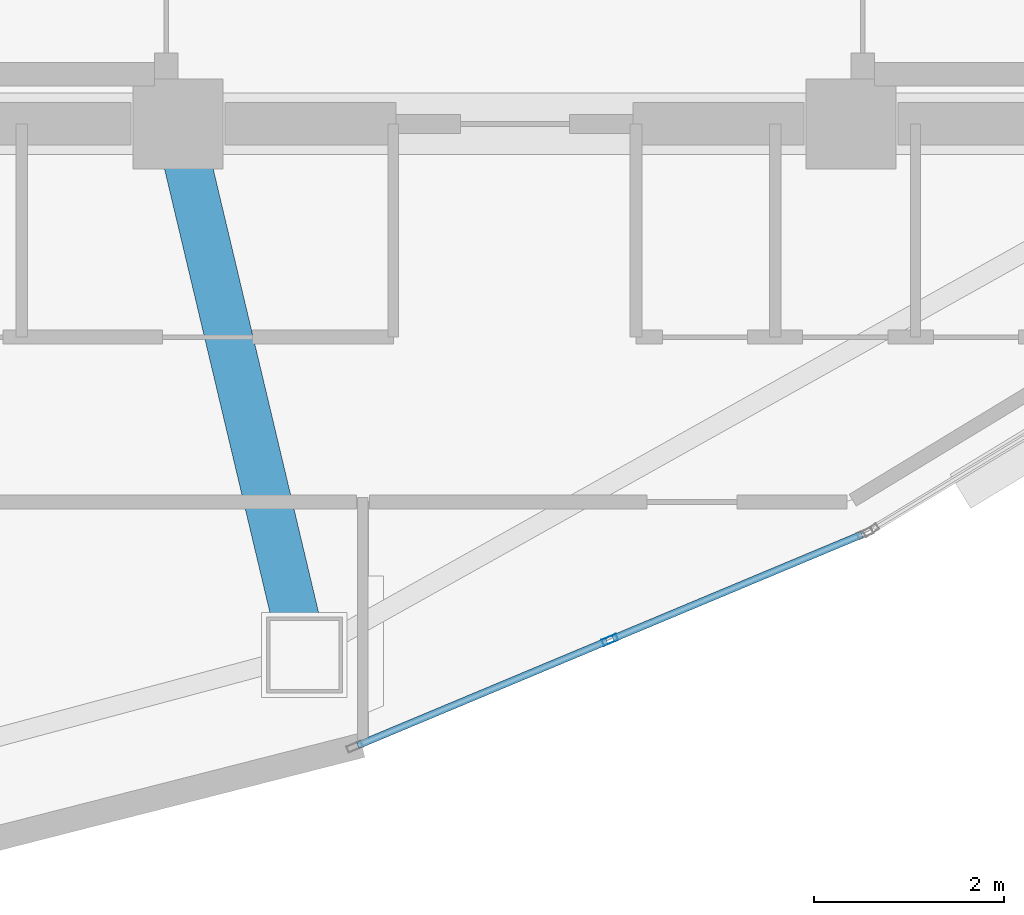
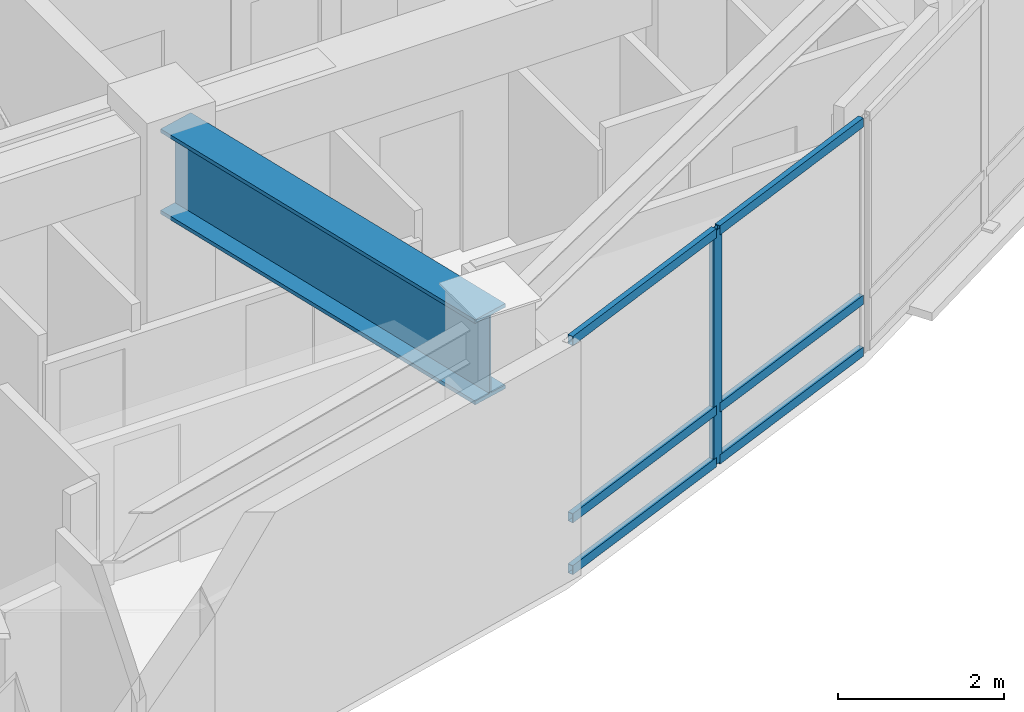
# One storey, part 3 of 15: 7 members, 1 beam, 1 element without a shape of its own.
"""IFC4 building model written with IfcOpenShell, lengths in metres."""

from ifc_helpers import new_model, si_unit, direction, frame, origin, origin_2d, place, context, subcontext, project, spatial, hollow_rectangle, i_section, extrude, material, layer, layer_set, material_profile, profile_set, type_object, element, aggregate, save


model = new_model("IFC4")

# Units and contexts
model_context = context("Model", 3, precision=1e-05, world=origin(), true_north=direction((0.0, 1.0)))
body_context = subcontext(model_context, "Body", "Model", "MODEL_VIEW")
ifc_project = project(units=[si_unit("LENGTHUNIT", "METRE"), si_unit("AREAUNIT", "SQUARE_METRE"), si_unit("VOLUMEUNIT", "CUBIC_METRE"), si_unit("PLANEANGLEUNIT", "RADIAN"), si_unit("MASSUNIT", "GRAM", prefix="KILO")], contexts=[model_context])

# Site, building, storey
site_placement = place(None, origin())
site = spatial("IfcSite", under=ifc_project, at=site_placement, CompositionType="ELEMENT")
building_placement = place(site_placement, origin())
building = spatial("IfcBuilding", under=site, at=building_placement, Name="Menara Vayukalpa", CompositionType="ELEMENT")
storey_placement = place(building_placement, frame((0.0, 0.0, 295.5)))
storey = spatial("IfcBuildingStorey", under=building, at=storey_placement, Name="L75", CompositionType="ELEMENT", Elevation=295.5)

# Beam
ifc_material_1 = material(Name="Steel S460", Category="steel")
ifc_material_profile_1 = material_profile(ifc_material_1, i_section(OverallWidth=0.5, OverallDepth=1.25, WebThickness=0.028076171875, FlangeThickness=0.054931640625, at=origin_2d()), Name="WG 1250x500x28x55")
ifc_profile_set_1 = profile_set([ifc_material_profile_1], Name="Steel S460")
beam_type = type_object("IfcBeamType", Name="BM-TG2", PredefinedType="BEAM", material=ifc_profile_set_1)
beam_placement = place(storey_placement, frame((22.10791015625, 16.956787109375, 2.81494140625), z_axis=(0.231167310854, -0.972914011818, 0.0), x_axis=(0.972914011818, 0.231167310854, 0.0)))
element("IfcBeam", 1, at=beam_placement, inside=storey, type_object=beam_type, Name="L75 Primary Radial Girder RG08", PredefinedType="BEAM", context=body_context, shape_type="SweptSolid", body=[
    extrude(i_section(OverallWidth=0.5, OverallDepth=1.25, WebThickness=0.028076171875, FlangeThickness=0.054931640625, at=origin_2d()), origin(), (0.0, 0.0, 1.0), 5.5107421875),
])

# Curtain wall, members
ifc_material_2 = material(Name="Anodised Terracotta Aluminium Alloy 6063-T6", Category="masonry")
ifc_layer = layer(ifc_material_2, 0.1650390625)
ifc_layer_set = layer_set([ifc_layer], Name="Anodised Terracotta Aluminium Alloy 6063-T6")
curtain_wall_type = type_object("IfcCurtainWallType", Name="CW-CW6", PredefinedType="USERDEFINED", material=ifc_layer_set)
curtain_wall_placement = place(storey_placement, origin())
curtain_wall = element("IfcCurtainWall", 2, at=curtain_wall_placement, inside=storey, type_object=curtain_wall_type, Name="L75 Observation and Executive Curtain Wall CW6 16", ObjectType="UNITISED", PredefinedType="USERDEFINED")
ifc_material_3 = material(Name="Anodised Terracotta Aluminium Alloy 6063-T6", Category="masonry")
ifc_material_profile_2 = material_profile(ifc_material_3, hollow_rectangle(XDim=0.070068359375, YDim=0.1650390625, WallThickness=0.00390625, at=origin_2d()), Name="ALU 70x165x4")
ifc_profile_set_2 = profile_set([ifc_material_profile_2], Name="Anodised Terracotta Aluminium Alloy 6063-T6")
member_type_1 = type_object("IfcMemberType", Name="CWM-CW6", PredefinedType="MULLION", material=ifc_profile_set_2)
member_1_placement = place(storey_placement, frame((26.60595703125, 11.7548828125, 0.0), z_axis=(0.0, 0.0, 1.0), x_axis=(-0.385899911703, 0.922540653927, 0.0)))
member_1 = element("IfcMember", 3, at=member_1_placement, type_object=member_type_1, Name="CW6 mullion 2", PredefinedType="MULLION", context=body_context, shape_type="SweptSolid", body=[
    extrude(hollow_rectangle(XDim=0.070068359375, YDim=0.1650390625, WallThickness=0.00390625, at=origin_2d()), origin(), (0.0, 0.0, 1.0), 3.43994140625),
])
ifc_material_4 = material(Name="Anodised Terracotta Aluminium Alloy 6063-T6", Category="masonry")
ifc_material_profile_3 = material_profile(ifc_material_4, hollow_rectangle(XDim=0.074951171875, YDim=0.135009765625, WallThickness=0.00390625, at=origin_2d()), Name="ALU 75x135x4")
ifc_profile_set_3 = profile_set([ifc_material_profile_3], Name="Anodised Terracotta Aluminium Alloy 6063-T6")
member_type_2 = type_object("IfcMemberType", Name="CWT-CW6", PredefinedType="USERDEFINED", material=ifc_profile_set_3)
member_2_placement = place(storey_placement, frame((23.945556640625, 10.64208984375, 0.03759765625), z_axis=(0.922541050276, 0.38589896418, 0.0), x_axis=(-0.38589896418, 0.922541050276, 0.0)))
member_2 = element("IfcMember", 4, at=member_2_placement, type_object=member_type_2, Name="CW6 transom 1.1", ObjectType="TRANSOM", PredefinedType="USERDEFINED", context=body_context, shape_type="SweptSolid", body=[
    extrude(hollow_rectangle(XDim=0.074951171875, YDim=0.135009765625, WallThickness=0.00390625, at=origin_2d()), origin(), (0.0, 0.0, 1.0), 2.848876953125),
])
member_3_placement = place(storey_placement, frame((23.945556640625, 10.64208984375, 0.800048828125), z_axis=(0.922541050276, 0.38589896418, 0.0), x_axis=(-0.38589896418, 0.922541050276, 0.0)))
member_3 = element("IfcMember", 5, at=member_3_placement, type_object=member_type_2, Name="CW6 transom 1.2", ObjectType="TRANSOM", PredefinedType="USERDEFINED", context=body_context, shape_type="SweptSolid", body=[
    extrude(hollow_rectangle(XDim=0.074951171875, YDim=0.135009765625, WallThickness=0.00390625, at=origin_2d()), origin(), (0.0, 0.0, 1.0), 2.848876953125),
])
member_4_placement = place(storey_placement, frame((23.945556640625, 10.64208984375, 3.402587890625), z_axis=(0.922541050276, 0.38589896418, 0.0), x_axis=(-0.38589896418, 0.922541050276, 0.0)))
member_4 = element("IfcMember", 6, at=member_4_placement, type_object=member_type_2, Name="CW6 transom 1.3", ObjectType="TRANSOM", PredefinedType="USERDEFINED", context=body_context, shape_type="SweptSolid", body=[
    extrude(hollow_rectangle(XDim=0.074951171875, YDim=0.135009765625, WallThickness=0.00390625, at=origin_2d()), origin(), (0.0, 0.0, 1.0), 2.848876953125),
])
member_5_placement = place(storey_placement, frame((26.638427734375, 11.768310546875, 0.03759765625), z_axis=(0.922528286758, 0.385929475592, 0.0), x_axis=(-0.385929475592, 0.922528286758, 0.0)))
member_5 = element("IfcMember", 7, at=member_5_placement, type_object=member_type_2, Name="CW6 transom 2.1", ObjectType="TRANSOM", PredefinedType="USERDEFINED", context=body_context, shape_type="SweptSolid", body=[
    extrude(hollow_rectangle(XDim=0.074951171875, YDim=0.135009765625, WallThickness=0.00390625, at=origin_2d()), origin(), (0.0, 0.0, 1.0), 2.8486328125),
])
member_6_placement = place(storey_placement, frame((26.638427734375, 11.768310546875, 0.800048828125), z_axis=(0.922528286758, 0.385929475592, 0.0), x_axis=(-0.385929475592, 0.922528286758, 0.0)))
member_6 = element("IfcMember", 8, at=member_6_placement, type_object=member_type_2, Name="CW6 transom 2.2", ObjectType="TRANSOM", PredefinedType="USERDEFINED", context=body_context, shape_type="SweptSolid", body=[
    extrude(hollow_rectangle(XDim=0.074951171875, YDim=0.135009765625, WallThickness=0.00390625, at=origin_2d()), origin(), (0.0, 0.0, 1.0), 2.8486328125),
])
member_7_placement = place(storey_placement, frame((26.638427734375, 11.768310546875, 3.402587890625), z_axis=(0.922528286758, 0.385929475592, 0.0), x_axis=(-0.385929475592, 0.922528286758, 0.0)))
member_7 = element("IfcMember", 9, at=member_7_placement, type_object=member_type_2, Name="CW6 transom 2.3", ObjectType="TRANSOM", PredefinedType="USERDEFINED", context=body_context, shape_type="SweptSolid", body=[
    extrude(hollow_rectangle(XDim=0.074951171875, YDim=0.135009765625, WallThickness=0.00390625, at=origin_2d()), origin(), (0.0, 0.0, 1.0), 2.8486328125),
])
aggregate(curtain_wall, [member_1, member_2, member_3, member_4, member_5, member_6, member_7])

save(model, "model.ifc")
